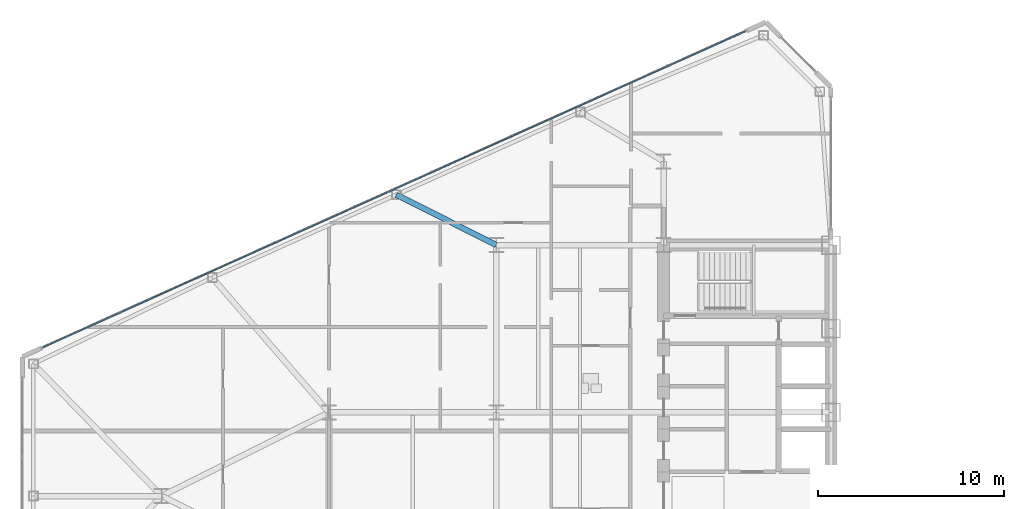
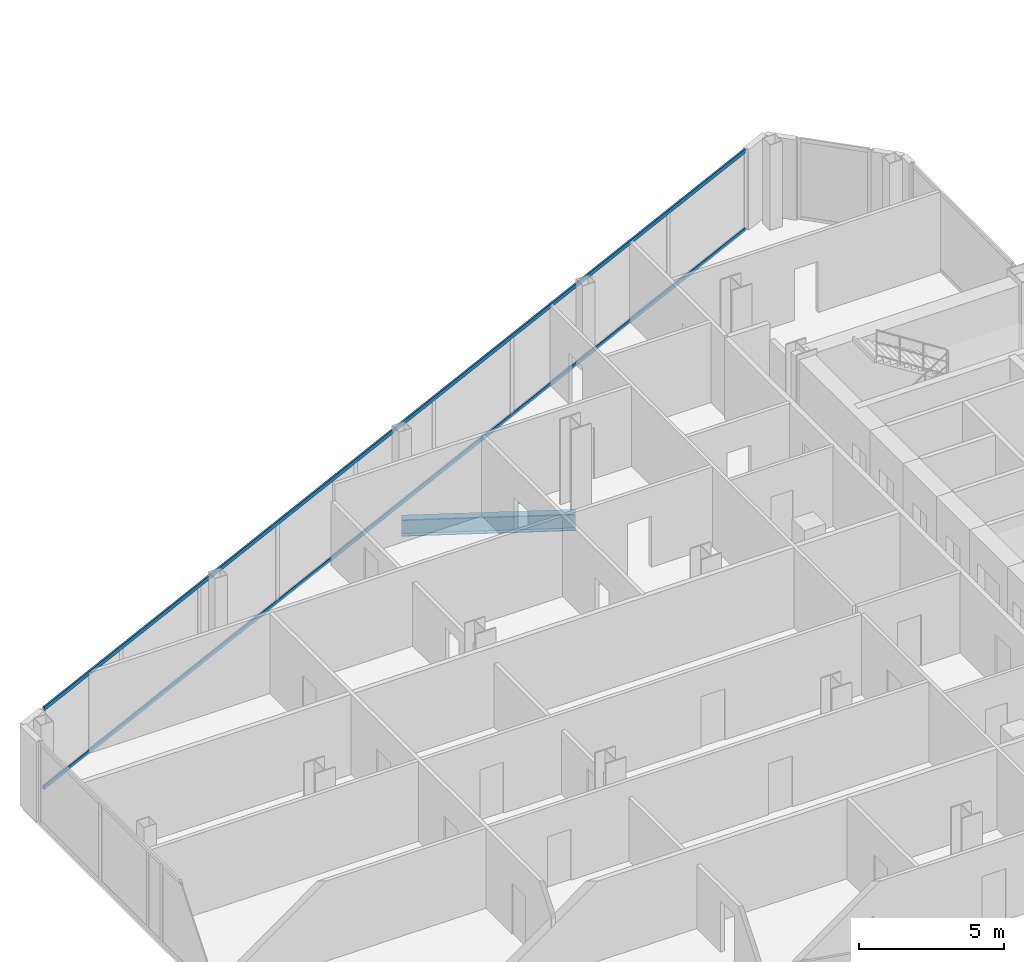
# One storey, part 8 of 27: 2 members, 1 beam, 1 element without a shape of its own.
"""IFC4 building model written with IfcOpenShell, lengths in metres."""

from ifc_helpers import new_model, si_unit, direction, frame, origin, origin_2d, place, context, subcontext, project, spatial, rectangle, i_section, extrude, source, transform, mapped, material, layer, layer_set, material_profile, profile_set, type_object, type_shapes, element, aggregate, save


model = new_model("IFC4")

# Units and contexts
model_context = context("Model", 3, precision=1e-05, world=origin(), true_north=direction((0.0, 1.0)))
body_context = subcontext(model_context, "Body", "Model", "MODEL_VIEW")
ifc_project = project(units=[si_unit("LENGTHUNIT", "METRE"), si_unit("AREAUNIT", "SQUARE_METRE"), si_unit("VOLUMEUNIT", "CUBIC_METRE"), si_unit("PLANEANGLEUNIT", "RADIAN"), si_unit("MASSUNIT", "GRAM", prefix="KILO")], contexts=[model_context])

# Site, building, storey
site_placement = place(None, origin())
site = spatial("IfcSite", under=ifc_project, at=site_placement, CompositionType="ELEMENT")
building_placement = place(site_placement, origin())
building = spatial("IfcBuilding", under=site, at=building_placement, Name="Seokmaru Belvedere", CompositionType="ELEMENT")
storey_placement = place(building_placement, frame((0.0, 0.0, 103.199951171875)))
storey = spatial("IfcBuildingStorey", under=building, at=storey_placement, Name="L27", CompositionType="ELEMENT", Elevation=103.199951171875)

# Beam
ifc_material_1 = material(Name="Steel SM355 (355 MPa)", Category="steel")
ifc_material_profile_1 = material_profile(ifc_material_1, i_section(OverallWidth=0.300048828125, OverallDepth=0.699951171875, WebThickness=0.012939453125, FlangeThickness=0.02392578125, at=origin_2d()), Name="H-700x300x13x24")
ifc_profile_set_1 = profile_set([ifc_material_profile_1], Name="Steel SM355 (355 MPa)")
beam_type = type_object("IfcBeamType", Name="Primary Floor Girder H-700", PredefinedType="BEAM", material=ifc_profile_set_1)
shared_shape_1 = source(origin(), body_context, "Body", "SweptSolid", [
    extrude(i_section(OverallWidth=0.300048828125, OverallDepth=0.699951171875, WebThickness=0.012939453125, FlangeThickness=0.02392578125, at=origin_2d()), origin(), (0.0, 0.0, 1.0), 6.017333984375),
])
type_shapes(beam_type, [shared_shape_1])
beam_placement = place(storey_placement, frame((-50.875, 16.205322265625, -0.570068359375), z_axis=(0.893239341975, -0.449581447512, 0.0), x_axis=(0.449581447512, 0.893239341975, 0.0)))
element("IfcBeam", 1, at=beam_placement, inside=storey, type_object=beam_type, Name="L27 W Flank Radial Floor Girder N-2", PredefinedType="BEAM", context=body_context, shape_type="MappedRepresentation", body=[
    mapped(shared_shape_1, transform((0.0, 0.0, 0.0), scale=1.0)),
])

# Curtain wall, members
ifc_material_2 = material(Name="Bronze Triple Insulating Glass", Category="glass")
ifc_layer = layer(ifc_material_2, 0.195068359375)
ifc_layer_set = layer_set([ifc_layer], Name="Bronze Triple Insulating Glass")
curtain_wall_type = type_object("IfcCurtainWallType", Name="Lower-Mid Tapered Curtain Wall System CW-3", PredefinedType="NOTDEFINED", material=ifc_layer_set)
curtain_wall_placement = place(storey_placement, origin())
curtain_wall = element("IfcCurtainWall", 2, at=curtain_wall_placement, inside=storey, type_object=curtain_wall_type, Name="L27 Curtain Wall WF3", PredefinedType="NOTDEFINED")
ifc_material_3 = material(Name="Anodised Bronze Aluminium", Category="aluminium")
ifc_material_profile_2 = material_profile(ifc_material_3, rectangle(XDim=0.070068359375, YDim=0.1650390625, at=origin_2d()), Name="CW-T-70x165")
ifc_profile_set_2 = profile_set([ifc_material_profile_2], Name="Anodised Bronze Aluminium")
member_type = type_object("IfcMemberType", Name="Bronze Unitised Transom 70x165", PredefinedType="USERDEFINED", material=ifc_profile_set_2)
shared_shape_2 = source(origin(), body_context, "Body", "SweptSolid", [
    extrude(rectangle(XDim=0.070068359375, YDim=0.1650390625, at=origin_2d()), origin(), (0.0, 0.0, 1.0), 41.423583984375),
])
type_shapes(member_type, [shared_shape_2])
member_1_placement = place(storey_placement, frame((-32.112548828125, 24.99951171875, 0.03515625), z_axis=(-0.911918637916, -0.410371048956, 0.0), x_axis=(0.410371048956, -0.911918637916, 0.0)))
member_1 = element("IfcMember", 3, at=member_1_placement, type_object=member_type, Name="CW:L27:WF3 Continuous Transom 1", ObjectType="TRANSOM", PredefinedType="USERDEFINED", context=body_context, shape_type="MappedRepresentation", body=[
    mapped(shared_shape_2, transform((0.0, 0.0, 0.0), scale=1.0)),
])
member_2_placement = place(storey_placement, frame((-32.112548828125, 24.99951171875, 3.344970703125), z_axis=(-0.911918637916, -0.410371048956, 0.0), x_axis=(0.410371048956, -0.911918637916, 0.0)))
member_2 = element("IfcMember", 4, at=member_2_placement, type_object=member_type, Name="CW:L27:WF3 Continuous Transom 2", ObjectType="TRANSOM", PredefinedType="USERDEFINED", context=body_context, shape_type="MappedRepresentation", body=[
    mapped(shared_shape_2, transform((0.0, 0.0, 0.0), scale=1.0)),
])
aggregate(curtain_wall, [member_1, member_2])

save(model, "model.ifc")
